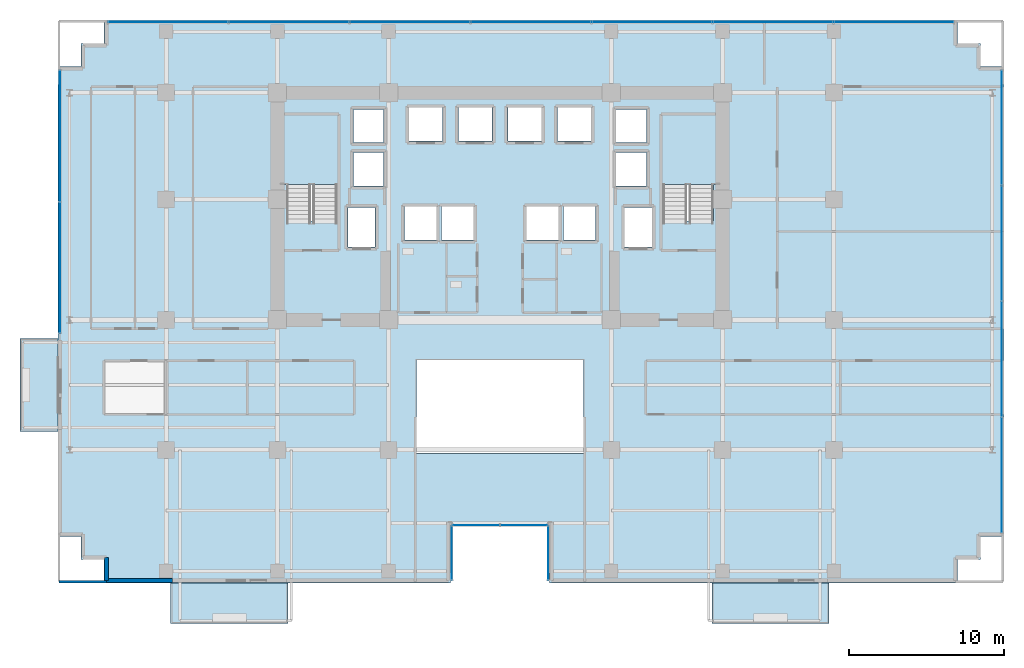
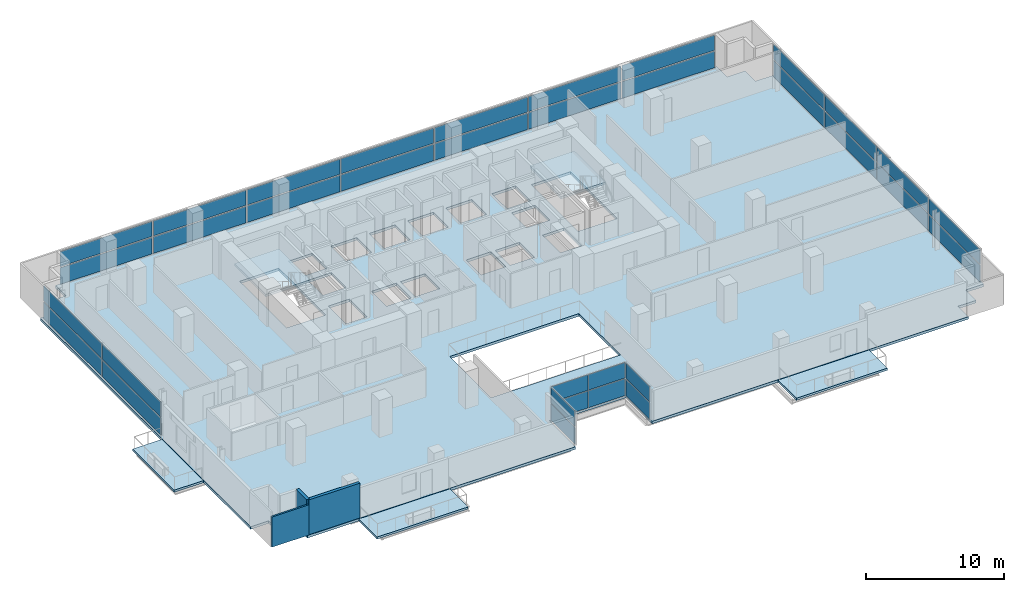
# One storey, part 23 of 31: 34 plates, 6 slabs, 3 walls, 8 elements without a shape of their own.
"""IFC4 building model written with IfcOpenShell, lengths in metres."""

from ifc_helpers import new_model, si_unit, direction, frame, frame_2d, origin, origin_2d, place, context, subcontext, project, spatial, polyline, rectangle, outline, extrude, source, transform, mapped, material, layer, layer_set, type_object, element, aggregate, save


model = new_model("IFC4")

# Units and contexts
model_context = context("Model", 3, precision=1e-05, world=origin(), true_north=direction((0.0, 1.0)))
body_context = subcontext(model_context, "Body", "Model", "MODEL_VIEW")
ifc_project = project(units=[si_unit("LENGTHUNIT", "METRE"), si_unit("AREAUNIT", "SQUARE_METRE"), si_unit("VOLUMEUNIT", "CUBIC_METRE"), si_unit("PLANEANGLEUNIT", "RADIAN"), si_unit("MASSUNIT", "GRAM", prefix="KILO")], contexts=[model_context])

# Site, building, storey
site_placement = place(None, origin())
site = spatial("IfcSite", under=ifc_project, at=site_placement, CompositionType="ELEMENT")
building_placement = place(site_placement, origin())
building = spatial("IfcBuilding", under=site, at=building_placement, Name="Zarnakvel Exchange Tower", CompositionType="ELEMENT")
storey_placement = place(building_placement, frame((0.0, 0.0, 67.0)))
storey = spatial("IfcBuildingStorey", under=building, at=storey_placement, Name="L18", CompositionType="ELEMENT", Elevation=67.0)

# Stair, slab
ifc_material_1 = material(Name="Concrete C40/50", Category="concrete")
stair_type = type_object("IfcStairType", Name="STR-01", PredefinedType="HALF_TURN_STAIR", material=ifc_material_1)
stair_1_placement = place(storey_placement, origin())
stair_1 = element("IfcStair", 1, at=stair_1_placement, inside=storey, type_object=stair_type, Name="L18 Protected Core Exit Stair ST-01", PredefinedType="HALF_TURN_STAIR")
ifc_layer_1 = layer(ifc_material_1, 0.199951171875)
ifc_layer_set_1 = layer_set([ifc_layer_1], Name="Concrete C40/50")
slab_type_1 = type_object("IfcSlabType", Name="LDG-01", PredefinedType="LANDING", material=ifc_layer_set_1)
slab_1_placement = place(storey_placement, frame((0.0, 0.0, 1.449951171875)))
slab_1 = element("IfcSlab", 2, at=slab_1_placement, type_object=slab_type_1, Name="ST-01 landing 1", PredefinedType="LANDING", context=body_context, shape_type="SweptSolid", body=[
    extrude(outline(polyline([(-14.18994140625, 7.570068359375), (-10.4599609375, 7.570068359375), (-10.4599609375, 12.080078125), (-14.18994140625, 12.080078125), (-14.18994140625, 7.570068359375)])), origin(), (0.0, 0.0, 1.0), 0.199951171875),
])
aggregate(stair_1, [slab_1])

stair_2_placement = place(storey_placement, origin())
stair_2 = element("IfcStair", 3, at=stair_2_placement, inside=storey, type_object=stair_type, Name="L18 Protected Core Exit Stair ST-02", PredefinedType="HALF_TURN_STAIR")
slab_2_placement = place(storey_placement, frame((0.0, 0.0, 1.449951171875)))
slab_2 = element("IfcSlab", 4, at=slab_2_placement, type_object=slab_type_1, Name="ST-02 landing 1", PredefinedType="LANDING", context=body_context, shape_type="SweptSolid", body=[
    extrude(outline(polyline([(10.4599609375, 7.570068359375), (14.18994140625, 7.570068359375), (14.18994140625, 12.080078125), (10.4599609375, 12.080078125), (10.4599609375, 7.570068359375)])), origin(), (0.0, 0.0, 1.0), 0.199951171875),
])
aggregate(stair_2, [slab_2])

# Slabs
ifc_layer_2 = layer(ifc_material_1, 0.22509765625)
ifc_layer_set_2 = layer_set([ifc_layer_2], Name="Concrete C40/50")
slab_type_2 = type_object("IfcSlabType", Name="SL-04", PredefinedType="FLOOR", material=ifc_layer_set_2)
slab_3_placement = place(storey_placement, frame((0.0, 0.0, -0.22509765625)))
element("IfcSlab", 5, at=slab_3_placement, inside=storey, type_object=slab_type_2, Name="L18 Primary Structural Floor Slab", PredefinedType="FLOOR", context=body_context, shape_type="SweptSolid", body=[
    extrude(outline(polyline([(-28.60009765625, -15.199951171875), (-27.10009765625, -15.199951171875), (-27.10009765625, -16.699951171875), (-25.60009765625, -16.699951171875), (-25.60009765625, -18.199951171875), (-3.199951171875, -18.199951171875), (-3.199951171875, -14.39990234375), (3.199951171875, -14.39990234375), (3.199951171875, -18.199951171875), (29.60009765625, -18.199951171875), (29.60009765625, -16.699951171875), (31.10009765625, -16.699951171875), (31.10009765625, -15.199951171875), (32.60009765625, -15.199951171875), (32.60009765625, 15.199951171875), (31.10009765625, 15.199951171875), (31.10009765625, 16.699951171875), (29.60009765625, 16.699951171875), (29.60009765625, 18.199951171875), (-25.60009765625, 18.199951171875), (-25.60009765625, 16.699951171875), (-27.10009765625, 16.699951171875), (-27.10009765625, 15.199951171875), (-28.60009765625, 15.199951171875), (-28.60009765625, -15.199951171875)]), holes=[polyline([(-5.39990234375, -9.800048828125), (5.39990234375, -9.800048828125), (5.39990234375, -3.800048828125), (-5.39990234375, -3.800048828125), (-5.39990234375, -9.800048828125)]), polyline([(-13.800048828125, 5.2099609375), (-10.5400390625, 5.2099609375), (-10.5400390625, 12.0), (-13.800048828125, 12.0), (-13.800048828125, 5.2099609375)]), polyline([(10.5400390625, 5.2099609375), (13.800048828125, 5.2099609375), (13.800048828125, 12.0), (10.5400390625, 12.0), (10.5400390625, 5.2099609375)]), polyline([(-9.830078125, 3.52001953125), (-8.070068359375, 3.52001953125), (-8.070068359375, 6.080078125), (-9.830078125, 6.080078125), (-9.830078125, 3.52001953125)]), polyline([(8.070068359375, 3.52001953125), (9.830078125, 3.52001953125), (9.830078125, 6.080078125), (8.070068359375, 6.080078125), (8.070068359375, 3.52001953125)]), polyline([(-5.8798828125, 10.3701171875), (-3.719970703125, 10.3701171875), (-3.719970703125, 12.530029296875), (-5.8798828125, 12.530029296875), (-5.8798828125, 10.3701171875)]), polyline([(-2.679931640625, 10.3701171875), (-0.52001953125, 10.3701171875), (-0.52001953125, 12.530029296875), (-2.679931640625, 12.530029296875), (-2.679931640625, 10.3701171875)]), polyline([(0.52001953125, 10.3701171875), (2.679931640625, 10.3701171875), (2.679931640625, 12.530029296875), (0.52001953125, 12.530029296875), (0.52001953125, 10.3701171875)]), polyline([(3.719970703125, 10.3701171875), (5.8798828125, 10.3701171875), (5.8798828125, 12.530029296875), (3.719970703125, 12.530029296875), (3.719970703125, 10.3701171875)]), polyline([(-6.179931640625, 3.969970703125), (-4.1201171875, 3.969970703125), (-4.1201171875, 6.1298828125), (-6.179931640625, 6.1298828125), (-6.179931640625, 3.969970703125)]), polyline([(-3.780029296875, 3.969970703125), (-1.719970703125, 3.969970703125), (-1.719970703125, 6.1298828125), (-3.780029296875, 6.1298828125), (-3.780029296875, 3.969970703125)]), polyline([(1.719970703125, 3.969970703125), (3.780029296875, 3.969970703125), (3.780029296875, 6.1298828125), (1.719970703125, 6.1298828125), (1.719970703125, 3.969970703125)]), polyline([(4.1201171875, 3.969970703125), (6.179931640625, 3.969970703125), (6.179931640625, 6.1298828125), (4.1201171875, 6.1298828125), (4.1201171875, 3.969970703125)]), polyline([(-9.47998046875, 7.469970703125), (-7.52001953125, 7.469970703125), (-7.52001953125, 9.6298828125), (-9.47998046875, 9.6298828125), (-9.47998046875, 7.469970703125)]), polyline([(-9.47998046875, 10.27001953125), (-7.52001953125, 10.27001953125), (-7.52001953125, 12.429931640625), (-9.47998046875, 12.429931640625), (-9.47998046875, 10.27001953125)]), polyline([(7.52001953125, 7.469970703125), (9.47998046875, 7.469970703125), (9.47998046875, 9.6298828125), (7.52001953125, 9.6298828125), (7.52001953125, 7.469970703125)]), polyline([(7.52001953125, 10.27001953125), (9.47998046875, 10.27001953125), (9.47998046875, 12.429931640625), (7.52001953125, 12.429931640625), (7.52001953125, 10.27001953125)])]), origin(), (0.0, 0.0, 1.0), 0.22509765625),
])
ifc_layer_3 = layer(ifc_material_1, 0.18994140625)
ifc_layer_set_3 = layer_set([ifc_layer_3], Name="Concrete C40/50")
slab_type_3 = type_object("IfcSlabType", Name="SL-08", PredefinedType="USERDEFINED", material=ifc_layer_set_3)
slab_4_placement = place(storey_placement, frame((0.0, 0.0, -0.22509765625)))
element("IfcSlab", 6, at=slab_4_placement, inside=storey, type_object=slab_type_3, Name="L18 Planted Loggia Balcony Slab BAL-L18-SW", ObjectType="BALCONY", PredefinedType="USERDEFINED", context=body_context, shape_type="SweptSolid", body=[
    extrude(outline(polyline([(-21.300048828125, -20.85009765625), (-13.699951171875, -20.85009765625), (-13.699951171875, -18.199951171875), (-21.300048828125, -18.199951171875), (-21.300048828125, -20.85009765625)])), origin(), (0.0, 0.0, 1.0), 0.190185546875),
])
slab_5_placement = place(storey_placement, frame((0.0, 0.0, -0.22509765625)))
element("IfcSlab", 7, at=slab_5_placement, inside=storey, type_object=slab_type_3, Name="L18 Planted Loggia Balcony Slab BAL-L18-SE", ObjectType="BALCONY", PredefinedType="USERDEFINED", context=body_context, shape_type="SweptSolid", body=[
    extrude(outline(polyline([(13.699951171875, -20.85009765625), (21.300048828125, -20.85009765625), (21.300048828125, -18.199951171875), (13.699951171875, -18.199951171875), (13.699951171875, -20.85009765625)])), origin(), (0.0, 0.0, 1.0), 0.190185546875),
])
slab_6_placement = place(storey_placement, frame((0.0, 0.0, -0.22509765625)))
element("IfcSlab", 8, at=slab_6_placement, inside=storey, type_object=slab_type_3, Name="L18 Planted Loggia Balcony Slab BAL-L18-W", ObjectType="BALCONY", PredefinedType="USERDEFINED", context=body_context, shape_type="SweptSolid", body=[
    extrude(outline(polyline([(-31.050048828125, -8.39990234375), (-28.60009765625, -8.39990234375), (-28.60009765625, -2.39990234375), (-31.050048828125, -2.39990234375), (-31.050048828125, -8.39990234375)])), origin(), (0.0, 0.0, 1.0), 0.190185546875),
])

# Curtain wall, plate
ifc_material_2 = material(Name="Architectural Bronze Anodised Aluminium", Category="aluminium")
ifc_layer_4 = layer(ifc_material_2, 0.179931640625)
ifc_layer_set_4 = layer_set([ifc_layer_4], Name="Architectural Bronze Anodised Aluminium")
curtain_wall_type_1 = type_object("IfcCurtainWallType", Name="CW-05", PredefinedType="NOTDEFINED", material=ifc_layer_set_4)
curtain_wall_1_placement = place(storey_placement, origin())
curtain_wall_1 = element("IfcCurtainWall", 9, at=curtain_wall_1_placement, inside=storey, type_object=curtain_wall_type_1, Name="L18 Curtain Wall CW-L18-SLW (CW-05)", PredefinedType="NOTDEFINED")
ifc_material_3 = material(Name="Double Low-E Laminated Vision Glass", Category="glass")
ifc_layer_5 = layer(ifc_material_3, 0.02587890625)
ifc_layer_set_5 = layer_set([ifc_layer_5], Name="Double Low-E Laminated Vision Glass")
plate_type_1 = type_object("IfcPlateType", Name="CWP-05", PredefinedType="CURTAIN_PANEL", material=ifc_layer_set_5)
shared_shape_1 = source(origin(), body_context, "Body", "SweptSolid", [
    extrude(rectangle(XDim=3.4599609375, YDim=0.02587890625, at=origin_2d()), origin(), (0.0, 0.0, 1.0), 1.483642578125),
])
plate_1_placement = place(storey_placement, frame((-3.1201171875, -16.280029296875, 0.06982421875), z_axis=(0.0, 0.0, 1.0), x_axis=(0.0, 1.0, 0.0)))
plate_1 = element("IfcPlate", 10, at=plate_1_placement, type_object=plate_type_1, Name="CW-05 panel 1.1", PredefinedType="CURTAIN_PANEL", context=body_context, shape_type="MappedRepresentation", body=[
    mapped(shared_shape_1, transform((0.0, 0.0, 0.0), x_axis=(1.0, 0.0, 0.0), y_axis=(0.0, 1.0, 0.0), z_axis=(0.0, 0.0, 1.0), scale=1.0)),
])

curtain_wall_2_placement = place(storey_placement, origin())
curtain_wall_2 = element("IfcCurtainWall", 11, at=curtain_wall_2_placement, inside=storey, type_object=curtain_wall_type_1, Name="L18 Curtain Wall CW-L18-SLE (CW-05)", PredefinedType="NOTDEFINED")
plate_2_placement = place(storey_placement, frame((3.1201171875, -16.280029296875, 0.06982421875), z_axis=(0.0, 0.0, 1.0), x_axis=(0.0, -1.0, 0.0)))
plate_2 = element("IfcPlate", 12, at=plate_2_placement, type_object=plate_type_1, Name="CW-05 panel 1.1", PredefinedType="CURTAIN_PANEL", context=body_context, shape_type="MappedRepresentation", body=[
    mapped(shared_shape_1, transform((0.0, 0.0, 0.0), x_axis=(1.0, 0.0, 0.0), y_axis=(0.0, 1.0, 0.0), z_axis=(0.0, 0.0, 1.0), scale=1.0)),
])

# Plate
shared_shape_2 = source(origin(), body_context, "Body", "SweptSolid", [
    extrude(rectangle(XDim=3.4599609375, YDim=0.02587890625, at=origin_2d()), origin(), (0.0, 0.0, 1.0), 1.361328125),
])
plate_3_placement = place(storey_placement, frame((-3.1201171875, -16.280029296875, 1.62353515625), z_axis=(0.0, 0.0, 1.0), x_axis=(0.0, 1.0, 0.0)))
plate_3 = element("IfcPlate", 13, at=plate_3_placement, type_object=plate_type_1, Name="CW-05 panel 1.2", PredefinedType="CURTAIN_PANEL", context=body_context, shape_type="MappedRepresentation", body=[
    mapped(shared_shape_2, transform((0.0, 0.0, 0.0), x_axis=(1.0, 0.0, 0.0), y_axis=(0.0, 1.0, 0.0), z_axis=(0.0, 0.0, 1.0), scale=1.0)),
])

aggregate(curtain_wall_1, [plate_1, plate_3])

plate_4_placement = place(storey_placement, frame((3.1201171875, -16.280029296875, 1.62353515625), z_axis=(0.0, 0.0, 1.0), x_axis=(0.0, -1.0, 0.0)))
plate_4 = element("IfcPlate", 14, at=plate_4_placement, type_object=plate_type_1, Name="CW-05 panel 1.2", PredefinedType="CURTAIN_PANEL", context=body_context, shape_type="MappedRepresentation", body=[
    mapped(shared_shape_2, transform((0.0, 0.0, 0.0), x_axis=(1.0, 0.0, 0.0), y_axis=(0.0, 1.0, 0.0), z_axis=(0.0, 0.0, 1.0), scale=1.0)),
])

aggregate(curtain_wall_2, [plate_2, plate_4])

# Curtain wall, plates
curtain_wall_3_placement = place(storey_placement, origin())
curtain_wall_3 = element("IfcCurtainWall", 15, at=curtain_wall_3_placement, inside=storey, type_object=curtain_wall_type_1, Name="L18 Curtain Wall CW-L18-SLB (CW-05)", PredefinedType="NOTDEFINED")
shared_shape_3 = source(origin(), body_context, "Body", "SweptSolid", [
    extrude(rectangle(XDim=3.014892578125, YDim=0.02587890625, at=origin_2d()), origin(), (0.0, 0.0, 1.0), 1.483642578125),
])
plate_5_placement = place(storey_placement, frame((-1.54248046875, -14.47998046875, 0.06982421875), z_axis=(0.0, 0.0, 1.0), x_axis=(1.0, 0.0, 0.0)))
plate_5 = element("IfcPlate", 16, at=plate_5_placement, type_object=plate_type_1, Name="CW-05 panel 1.1", PredefinedType="CURTAIN_PANEL", context=body_context, shape_type="MappedRepresentation", body=[
    mapped(shared_shape_3, transform((0.0, 0.0, 0.0), x_axis=(1.0, 0.0, 0.0), y_axis=(0.0, 1.0, 0.0), z_axis=(0.0, 0.0, 1.0), scale=1.0)),
])
plate_6_placement = place(storey_placement, frame((1.54248046875, -14.47998046875, 0.06982421875), z_axis=(0.0, 0.0, 1.0), x_axis=(1.0, 0.0, 0.0)))
plate_6 = element("IfcPlate", 17, at=plate_6_placement, type_object=plate_type_1, Name="CW-05 panel 2.1", PredefinedType="CURTAIN_PANEL", context=body_context, shape_type="MappedRepresentation", body=[
    mapped(shared_shape_3, transform((0.0, 0.0, 0.0), x_axis=(1.0, 0.0, 0.0), y_axis=(0.0, 1.0, 0.0), z_axis=(0.0, 0.0, 1.0), scale=1.0)),
])
shared_shape_4 = source(origin(), body_context, "Body", "SweptSolid", [
    extrude(rectangle(XDim=3.014892578125, YDim=0.02587890625, at=origin_2d()), origin(), (0.0, 0.0, 1.0), 1.361328125),
])
plate_7_placement = place(storey_placement, frame((-1.54248046875, -14.47998046875, 1.62353515625), z_axis=(0.0, 0.0, 1.0), x_axis=(1.0, 0.0, 0.0)))
plate_7 = element("IfcPlate", 18, at=plate_7_placement, type_object=plate_type_1, Name="CW-05 panel 1.2", PredefinedType="CURTAIN_PANEL", context=body_context, shape_type="MappedRepresentation", body=[
    mapped(shared_shape_4, transform((0.0, 0.0, 0.0), x_axis=(1.0, 0.0, 0.0), y_axis=(0.0, 1.0, 0.0), z_axis=(0.0, 0.0, 1.0), scale=1.0)),
])
plate_8_placement = place(storey_placement, frame((1.54248046875, -14.47998046875, 1.62353515625), z_axis=(0.0, 0.0, 1.0), x_axis=(1.0, 0.0, 0.0)))
plate_8 = element("IfcPlate", 19, at=plate_8_placement, type_object=plate_type_1, Name="CW-05 panel 2.2", PredefinedType="CURTAIN_PANEL", context=body_context, shape_type="MappedRepresentation", body=[
    mapped(shared_shape_4, transform((0.0, 0.0, 0.0), x_axis=(1.0, 0.0, 0.0), y_axis=(0.0, 1.0, 0.0), z_axis=(0.0, 0.0, 1.0), scale=1.0)),
])
aggregate(curtain_wall_3, [plate_5, plate_7, plate_6, plate_8])

ifc_layer_6 = layer(ifc_material_2, 0.239990234375)
ifc_layer_set_6 = layer_set([ifc_layer_6], Name="Architectural Bronze Anodised Aluminium")
curtain_wall_type_2 = type_object("IfcCurtainWallType", Name="CW-02", PredefinedType="NOTDEFINED", material=ifc_layer_set_6)
curtain_wall_4_placement = place(storey_placement, origin())
curtain_wall_4 = element("IfcCurtainWall", 20, at=curtain_wall_4_placement, inside=storey, type_object=curtain_wall_type_2, Name="L18 Curtain Wall CW-L18-N1 (CW-02)", PredefinedType="NOTDEFINED")
ifc_layer_7 = layer(ifc_material_3, 0.031982421875)
ifc_layer_set_7 = layer_set([ifc_layer_7], Name="Double Low-E Laminated Vision Glass")
plate_type_2 = type_object("IfcPlateType", Name="CWP-02", PredefinedType="CURTAIN_PANEL", material=ifc_layer_set_7)
shared_shape_5 = source(origin(), body_context, "Body", "SweptSolid", [
    extrude(rectangle(XDim=7.693603515625, YDim=0.031982421875, at=origin_2d()), origin(), (0.0, 0.0, 1.0), 1.461181640625),
])
plate_9_placement = place(storey_placement, frame((-21.463134765625, 18.06005859375, 0.0849609375), z_axis=(0.0, 0.0, 1.0), x_axis=(1.0, 0.0, 0.0)))
plate_9 = element("IfcPlate", 21, at=plate_9_placement, type_object=plate_type_2, Name="CW-02 panel 1.1", PredefinedType="CURTAIN_PANEL", context=body_context, shape_type="MappedRepresentation", body=[
    mapped(shared_shape_5, transform((0.0, 0.0, 0.0), x_axis=(1.0, 0.0, 0.0), y_axis=(0.0, 1.0, 0.0), z_axis=(0.0, 0.0, 1.0), scale=1.0)),
])
plate_10_placement = place(storey_placement, frame((25.463134765625, 18.06005859375, 0.0849609375), z_axis=(0.0, 0.0, 1.0), x_axis=(1.0, 0.0, 0.0)))
plate_10 = element("IfcPlate", 22, at=plate_10_placement, type_object=plate_type_2, Name="CW-02 panel 7.1", PredefinedType="CURTAIN_PANEL", context=body_context, shape_type="MappedRepresentation", body=[
    mapped(shared_shape_5, transform((0.0, 0.0, 0.0), x_axis=(1.0, 0.0, 0.0), y_axis=(0.0, 1.0, 0.0), z_axis=(0.0, 0.0, 1.0), scale=1.0)),
])
shared_shape_6 = source(origin(), body_context, "Body", "SweptSolid", [
    extrude(rectangle(XDim=7.693603515625, YDim=0.031982421875, at=origin_2d()), origin(), (0.0, 0.0, 1.0), 1.3388671875),
])
plate_11_placement = place(storey_placement, frame((-21.463134765625, 18.06005859375, 1.631103515625), z_axis=(0.0, 0.0, 1.0), x_axis=(1.0, 0.0, 0.0)))
plate_11 = element("IfcPlate", 23, at=plate_11_placement, type_object=plate_type_2, Name="CW-02 panel 1.2", PredefinedType="CURTAIN_PANEL", context=body_context, shape_type="MappedRepresentation", body=[
    mapped(shared_shape_6, transform((0.0, 0.0, 0.0), x_axis=(1.0, 0.0, 0.0), y_axis=(0.0, 1.0, 0.0), z_axis=(0.0, 0.0, 1.0), scale=1.0)),
])
plate_12_placement = place(storey_placement, frame((25.463134765625, 18.06005859375, 1.631103515625), z_axis=(0.0, 0.0, 1.0), x_axis=(1.0, 0.0, 0.0)))
plate_12 = element("IfcPlate", 24, at=plate_12_placement, type_object=plate_type_2, Name="CW-02 panel 7.2", PredefinedType="CURTAIN_PANEL", context=body_context, shape_type="MappedRepresentation", body=[
    mapped(shared_shape_6, transform((0.0, 0.0, 0.0), x_axis=(1.0, 0.0, 0.0), y_axis=(0.0, 1.0, 0.0), z_axis=(0.0, 0.0, 1.0), scale=1.0)),
])
shared_shape_7 = source(origin(), body_context, "Body", "SweptSolid", [
    extrude(rectangle(XDim=7.738525390625, YDim=0.031982421875, at=origin_2d()), origin(), (0.0, 0.0, 1.0), 1.461181640625),
])
plate_13_placement = place(storey_placement, frame((-13.6572265625, 18.06005859375, 0.0849609375), z_axis=(0.0, 0.0, 1.0), x_axis=(1.0, 0.0, 0.0)))
plate_13 = element("IfcPlate", 25, at=plate_13_placement, type_object=plate_type_2, Name="CW-02 panel 2.1", PredefinedType="CURTAIN_PANEL", context=body_context, shape_type="MappedRepresentation", body=[
    mapped(shared_shape_7, transform((0.0, 0.0, 0.0), x_axis=(1.0, 0.0, 0.0), y_axis=(0.0, 1.0, 0.0), z_axis=(0.0, 0.0, 1.0), scale=1.0)),
])
plate_14_placement = place(storey_placement, frame((-5.82861328125, 18.06005859375, 0.0849609375), z_axis=(0.0, 0.0, 1.0), x_axis=(1.0, 0.0, 0.0)))
plate_14 = element("IfcPlate", 26, at=plate_14_placement, type_object=plate_type_2, Name="CW-02 panel 3.1", PredefinedType="CURTAIN_PANEL", context=body_context, shape_type="MappedRepresentation", body=[
    mapped(shared_shape_7, transform((0.0, 0.0, 0.0), x_axis=(1.0, 0.0, 0.0), y_axis=(0.0, 1.0, 0.0), z_axis=(0.0, 0.0, 1.0), scale=1.0)),
])
plate_15_placement = place(storey_placement, frame((2.0, 18.06005859375, 0.0849609375), z_axis=(0.0, 0.0, 1.0), x_axis=(1.0, 0.0, 0.0)))
plate_15 = element("IfcPlate", 27, at=plate_15_placement, type_object=plate_type_2, Name="CW-02 panel 4.1", PredefinedType="CURTAIN_PANEL", context=body_context, shape_type="MappedRepresentation", body=[
    mapped(shared_shape_7, transform((0.0, 0.0, 0.0), x_axis=(1.0, 0.0, 0.0), y_axis=(0.0, 1.0, 0.0), z_axis=(0.0, 0.0, 1.0), scale=1.0)),
])
plate_16_placement = place(storey_placement, frame((9.82861328125, 18.06005859375, 0.0849609375), z_axis=(0.0, 0.0, 1.0), x_axis=(1.0, 0.0, 0.0)))
plate_16 = element("IfcPlate", 28, at=plate_16_placement, type_object=plate_type_2, Name="CW-02 panel 5.1", PredefinedType="CURTAIN_PANEL", context=body_context, shape_type="MappedRepresentation", body=[
    mapped(shared_shape_7, transform((0.0, 0.0, 0.0), x_axis=(1.0, 0.0, 0.0), y_axis=(0.0, 1.0, 0.0), z_axis=(0.0, 0.0, 1.0), scale=1.0)),
])
plate_17_placement = place(storey_placement, frame((17.6572265625, 18.06005859375, 0.0849609375), z_axis=(0.0, 0.0, 1.0), x_axis=(1.0, 0.0, 0.0)))
plate_17 = element("IfcPlate", 29, at=plate_17_placement, type_object=plate_type_2, Name="CW-02 panel 6.1", PredefinedType="CURTAIN_PANEL", context=body_context, shape_type="MappedRepresentation", body=[
    mapped(shared_shape_7, transform((0.0, 0.0, 0.0), x_axis=(1.0, 0.0, 0.0), y_axis=(0.0, 1.0, 0.0), z_axis=(0.0, 0.0, 1.0), scale=1.0)),
])
shared_shape_8 = source(origin(), body_context, "Body", "SweptSolid", [
    extrude(rectangle(XDim=7.738525390625, YDim=0.031982421875, at=origin_2d()), origin(), (0.0, 0.0, 1.0), 1.3388671875),
])
plate_18_placement = place(storey_placement, frame((-13.6572265625, 18.06005859375, 1.631103515625), z_axis=(0.0, 0.0, 1.0), x_axis=(1.0, 0.0, 0.0)))
plate_18 = element("IfcPlate", 30, at=plate_18_placement, type_object=plate_type_2, Name="CW-02 panel 2.2", PredefinedType="CURTAIN_PANEL", context=body_context, shape_type="MappedRepresentation", body=[
    mapped(shared_shape_8, transform((0.0, 0.0, 0.0), x_axis=(1.0, 0.0, 0.0), y_axis=(0.0, 1.0, 0.0), z_axis=(0.0, 0.0, 1.0), scale=1.0)),
])
plate_19_placement = place(storey_placement, frame((-5.82861328125, 18.06005859375, 1.631103515625), z_axis=(0.0, 0.0, 1.0), x_axis=(1.0, 0.0, 0.0)))
plate_19 = element("IfcPlate", 31, at=plate_19_placement, type_object=plate_type_2, Name="CW-02 panel 3.2", PredefinedType="CURTAIN_PANEL", context=body_context, shape_type="MappedRepresentation", body=[
    mapped(shared_shape_8, transform((0.0, 0.0, 0.0), x_axis=(1.0, 0.0, 0.0), y_axis=(0.0, 1.0, 0.0), z_axis=(0.0, 0.0, 1.0), scale=1.0)),
])
plate_20_placement = place(storey_placement, frame((2.0, 18.06005859375, 1.631103515625), z_axis=(0.0, 0.0, 1.0), x_axis=(1.0, 0.0, 0.0)))
plate_20 = element("IfcPlate", 32, at=plate_20_placement, type_object=plate_type_2, Name="CW-02 panel 4.2", PredefinedType="CURTAIN_PANEL", context=body_context, shape_type="MappedRepresentation", body=[
    mapped(shared_shape_8, transform((0.0, 0.0, 0.0), x_axis=(1.0, 0.0, 0.0), y_axis=(0.0, 1.0, 0.0), z_axis=(0.0, 0.0, 1.0), scale=1.0)),
])
plate_21_placement = place(storey_placement, frame((9.82861328125, 18.06005859375, 1.631103515625), z_axis=(0.0, 0.0, 1.0), x_axis=(1.0, 0.0, 0.0)))
plate_21 = element("IfcPlate", 33, at=plate_21_placement, type_object=plate_type_2, Name="CW-02 panel 5.2", PredefinedType="CURTAIN_PANEL", context=body_context, shape_type="MappedRepresentation", body=[
    mapped(shared_shape_8, transform((0.0, 0.0, 0.0), x_axis=(1.0, 0.0, 0.0), y_axis=(0.0, 1.0, 0.0), z_axis=(0.0, 0.0, 1.0), scale=1.0)),
])
plate_22_placement = place(storey_placement, frame((17.6572265625, 18.06005859375, 1.631103515625), z_axis=(0.0, 0.0, 1.0), x_axis=(1.0, 0.0, 0.0)))
plate_22 = element("IfcPlate", 34, at=plate_22_placement, type_object=plate_type_2, Name="CW-02 panel 6.2", PredefinedType="CURTAIN_PANEL", context=body_context, shape_type="MappedRepresentation", body=[
    mapped(shared_shape_8, transform((0.0, 0.0, 0.0), x_axis=(1.0, 0.0, 0.0), y_axis=(0.0, 1.0, 0.0), z_axis=(0.0, 0.0, 1.0), scale=1.0)),
])
aggregate(curtain_wall_4, [plate_9, plate_11, plate_13, plate_18, plate_14, plate_19, plate_15, plate_20, plate_16, plate_21, plate_17, plate_22, plate_10, plate_12])

ifc_layer_8 = layer(ifc_material_2, 0.199951171875)
ifc_layer_set_8 = layer_set([ifc_layer_8], Name="Architectural Bronze Anodised Aluminium")
curtain_wall_type_3 = type_object("IfcCurtainWallType", Name="CW-04", PredefinedType="NOTDEFINED", material=ifc_layer_set_8)
curtain_wall_5_placement = place(storey_placement, origin())
curtain_wall_5 = element("IfcCurtainWall", 35, at=curtain_wall_5_placement, inside=storey, type_object=curtain_wall_type_3, Name="L18 Curtain Wall CW-L18-WN (CW-04)", PredefinedType="NOTDEFINED")
ifc_layer_9 = layer(ifc_material_3, 0.028076171875)
ifc_layer_set_9 = layer_set([ifc_layer_9], Name="Double Low-E Laminated Vision Glass")
plate_type_3 = type_object("IfcPlateType", Name="CWP-04", PredefinedType="CURTAIN_PANEL", material=ifc_layer_set_9)
shared_shape_9 = source(origin(), body_context, "Body", "SweptSolid", [
    extrude(rectangle(XDim=8.4375, YDim=0.028076171875, at=origin_2d()), origin(), (0.0, 0.0, 1.0), 1.47607421875),
])
plate_23_placement = place(storey_placement, frame((-28.4599609375, 2.19384765625, 0.074951171875), z_axis=(0.0, 0.0, 1.0), x_axis=(0.0, 1.0, 0.0)))
plate_23 = element("IfcPlate", 36, at=plate_23_placement, type_object=plate_type_3, Name="CW-04 panel 1.1", PredefinedType="CURTAIN_PANEL", context=body_context, shape_type="MappedRepresentation", body=[
    mapped(shared_shape_9, transform((0.0, 0.0, 0.0), x_axis=(1.0, 0.0, 0.0), y_axis=(0.0, 1.0, 0.0), z_axis=(0.0, 0.0, 1.0), scale=1.0)),
])
plate_24_placement = place(storey_placement, frame((-28.4599609375, 10.706298828125, 0.074951171875), z_axis=(0.0, 0.0, 1.0), x_axis=(0.0, 1.0, 0.0)))
plate_24 = element("IfcPlate", 37, at=plate_24_placement, type_object=plate_type_3, Name="CW-04 panel 2.1", PredefinedType="CURTAIN_PANEL", context=body_context, shape_type="MappedRepresentation", body=[
    mapped(shared_shape_9, transform((0.0, 0.0, 0.0), x_axis=(1.0, 0.0, 0.0), y_axis=(0.0, 1.0, 0.0), z_axis=(0.0, 0.0, 1.0), scale=1.0)),
])
shared_shape_10 = source(origin(), body_context, "Body", "SweptSolid", [
    extrude(rectangle(XDim=8.4375, YDim=0.028076171875, at=origin_2d()), origin(), (0.0, 0.0, 1.0), 1.35400390625),
])
plate_25_placement = place(storey_placement, frame((-28.4599609375, 2.19384765625, 1.6259765625), z_axis=(0.0, 0.0, 1.0), x_axis=(0.0, 1.0, 0.0)))
plate_25 = element("IfcPlate", 38, at=plate_25_placement, type_object=plate_type_3, Name="CW-04 panel 1.2", PredefinedType="CURTAIN_PANEL", context=body_context, shape_type="MappedRepresentation", body=[
    mapped(shared_shape_10, transform((0.0, 0.0, 0.0), x_axis=(1.0, 0.0, 0.0), y_axis=(0.0, 1.0, 0.0), z_axis=(0.0, 0.0, 1.0), scale=1.0)),
])
plate_26_placement = place(storey_placement, frame((-28.4599609375, 10.706298828125, 1.6259765625), z_axis=(0.0, 0.0, 1.0), x_axis=(0.0, 1.0, 0.0)))
plate_26 = element("IfcPlate", 39, at=plate_26_placement, type_object=plate_type_3, Name="CW-04 panel 2.2", PredefinedType="CURTAIN_PANEL", context=body_context, shape_type="MappedRepresentation", body=[
    mapped(shared_shape_10, transform((0.0, 0.0, 0.0), x_axis=(1.0, 0.0, 0.0), y_axis=(0.0, 1.0, 0.0), z_axis=(0.0, 0.0, 1.0), scale=1.0)),
])
aggregate(curtain_wall_5, [plate_23, plate_25, plate_24, plate_26])

curtain_wall_6_placement = place(storey_placement, origin())
curtain_wall_6 = element("IfcCurtainWall", 40, at=curtain_wall_6_placement, inside=storey, type_object=curtain_wall_type_3, Name="L18 Curtain Wall CW-L18-E1 (CW-04)", PredefinedType="NOTDEFINED")
shared_shape_11 = source(origin(), body_context, "Body", "SweptSolid", [
    extrude(rectangle(XDim=7.387451171875, YDim=0.028076171875, at=origin_2d()), origin(), (0.0, 0.0, 1.0), 1.47607421875),
])
plate_27_placement = place(storey_placement, frame((32.4599609375, -11.231201171875, 0.074951171875), z_axis=(0.0, 0.0, 1.0), x_axis=(0.0, 1.0, 0.0)))
plate_27 = element("IfcPlate", 41, at=plate_27_placement, type_object=plate_type_3, Name="CW-04 panel 1.1", PredefinedType="CURTAIN_PANEL", context=body_context, shape_type="MappedRepresentation", body=[
    mapped(shared_shape_11, transform((0.0, 0.0, 0.0), x_axis=(1.0, 0.0, 0.0), y_axis=(0.0, 1.0, 0.0), z_axis=(0.0, 0.0, 1.0), scale=1.0)),
])
plate_28_placement = place(storey_placement, frame((32.4599609375, 11.231201171875, 0.074951171875), z_axis=(0.0, 0.0, 1.0), x_axis=(0.0, 1.0, 0.0)))
plate_28 = element("IfcPlate", 42, at=plate_28_placement, type_object=plate_type_3, Name="CW-04 panel 4.1", PredefinedType="CURTAIN_PANEL", context=body_context, shape_type="MappedRepresentation", body=[
    mapped(shared_shape_11, transform((0.0, 0.0, 0.0), x_axis=(1.0, 0.0, 0.0), y_axis=(0.0, 1.0, 0.0), z_axis=(0.0, 0.0, 1.0), scale=1.0)),
])
shared_shape_12 = source(origin(), body_context, "Body", "SweptSolid", [
    extrude(rectangle(XDim=7.387451171875, YDim=0.028076171875, at=origin_2d()), origin(), (0.0, 0.0, 1.0), 1.35400390625),
])
plate_29_placement = place(storey_placement, frame((32.4599609375, -11.231201171875, 1.6259765625), z_axis=(0.0, 0.0, 1.0), x_axis=(0.0, 1.0, 0.0)))
plate_29 = element("IfcPlate", 43, at=plate_29_placement, type_object=plate_type_3, Name="CW-04 panel 1.2", PredefinedType="CURTAIN_PANEL", context=body_context, shape_type="MappedRepresentation", body=[
    mapped(shared_shape_12, transform((0.0, 0.0, 0.0), x_axis=(1.0, 0.0, 0.0), y_axis=(0.0, 1.0, 0.0), z_axis=(0.0, 0.0, 1.0), scale=1.0)),
])
plate_30_placement = place(storey_placement, frame((32.4599609375, 11.231201171875, 1.6259765625), z_axis=(0.0, 0.0, 1.0), x_axis=(0.0, 1.0, 0.0)))
plate_30 = element("IfcPlate", 44, at=plate_30_placement, type_object=plate_type_3, Name="CW-04 panel 4.2", PredefinedType="CURTAIN_PANEL", context=body_context, shape_type="MappedRepresentation", body=[
    mapped(shared_shape_12, transform((0.0, 0.0, 0.0), x_axis=(1.0, 0.0, 0.0), y_axis=(0.0, 1.0, 0.0), z_axis=(0.0, 0.0, 1.0), scale=1.0)),
])
shared_shape_13 = source(origin(), body_context, "Body", "SweptSolid", [
    extrude(rectangle(XDim=7.425048828125, YDim=0.028076171875, at=origin_2d()), origin(), (0.0, 0.0, 1.0), 1.47607421875),
])
plate_31_placement = place(storey_placement, frame((32.4599609375, -3.75, 0.074951171875), z_axis=(0.0, 0.0, 1.0), x_axis=(0.0, 1.0, 0.0)))
plate_31 = element("IfcPlate", 45, at=plate_31_placement, type_object=plate_type_3, Name="CW-04 panel 2.1", PredefinedType="CURTAIN_PANEL", context=body_context, shape_type="MappedRepresentation", body=[
    mapped(shared_shape_13, transform((0.0, 0.0, 0.0), x_axis=(1.0, 0.0, 0.0), y_axis=(0.0, 1.0, 0.0), z_axis=(0.0, 0.0, 1.0), scale=1.0)),
])
plate_32_placement = place(storey_placement, frame((32.4599609375, 3.75, 0.074951171875), z_axis=(0.0, 0.0, 1.0), x_axis=(0.0, 1.0, 0.0)))
plate_32 = element("IfcPlate", 46, at=plate_32_placement, type_object=plate_type_3, Name="CW-04 panel 3.1", PredefinedType="CURTAIN_PANEL", context=body_context, shape_type="MappedRepresentation", body=[
    mapped(shared_shape_13, transform((0.0, 0.0, 0.0), x_axis=(1.0, 0.0, 0.0), y_axis=(0.0, 1.0, 0.0), z_axis=(0.0, 0.0, 1.0), scale=1.0)),
])
shared_shape_14 = source(origin(), body_context, "Body", "SweptSolid", [
    extrude(rectangle(XDim=7.425048828125, YDim=0.028076171875, at=origin_2d()), origin(), (0.0, 0.0, 1.0), 1.35400390625),
])
plate_33_placement = place(storey_placement, frame((32.4599609375, -3.75, 1.6259765625), z_axis=(0.0, 0.0, 1.0), x_axis=(0.0, 1.0, 0.0)))
plate_33 = element("IfcPlate", 47, at=plate_33_placement, type_object=plate_type_3, Name="CW-04 panel 2.2", PredefinedType="CURTAIN_PANEL", context=body_context, shape_type="MappedRepresentation", body=[
    mapped(shared_shape_14, transform((0.0, 0.0, 0.0), x_axis=(1.0, 0.0, 0.0), y_axis=(0.0, 1.0, 0.0), z_axis=(0.0, 0.0, 1.0), scale=1.0)),
])
plate_34_placement = place(storey_placement, frame((32.4599609375, 3.75, 1.6259765625), z_axis=(0.0, 0.0, 1.0), x_axis=(0.0, 1.0, 0.0)))
plate_34 = element("IfcPlate", 48, at=plate_34_placement, type_object=plate_type_3, Name="CW-04 panel 3.2", PredefinedType="CURTAIN_PANEL", context=body_context, shape_type="MappedRepresentation", body=[
    mapped(shared_shape_14, transform((0.0, 0.0, 0.0), x_axis=(1.0, 0.0, 0.0), y_axis=(0.0, 1.0, 0.0), z_axis=(0.0, 0.0, 1.0), scale=1.0)),
])
aggregate(curtain_wall_6, [plate_27, plate_29, plate_31, plate_33, plate_32, plate_34, plate_28, plate_30])

# Walls
ifc_material_4 = material(Name="Precast concrete C40/50", Category="concrete")
ifc_layer_10 = layer(ifc_material_4, 0.239990234375)
ifc_layer_set_10 = layer_set([ifc_layer_10], Name="Precast concrete C40/50")
wall_type_1 = type_object("IfcWallType", Name="EW-02", PredefinedType="SOLIDWALL", material=ifc_layer_set_10)
wall_1_placement = place(storey_placement, frame((-25.4599609375, -18.06005859375, 0.0), z_axis=(0.0, 0.0, 1.0), x_axis=(1.0, 0.0, 0.0)))
element("IfcWall", 49, at=wall_1_placement, inside=storey, type_object=wall_type_1, Name="L18 Exterior Precast Spandrel Wall EWC-L18-22 (EW-02)", PredefinedType="SOLIDWALL", context=body_context, shape_type="SweptSolid", body=[
    extrude(rectangle(XDim=4.260009765625, YDim=0.239990234375, at=frame_2d((2.1298828125, 0.0))), origin(), (0.0, 0.0, 1.0), 3.074951171875),
])
wall_2_placement = place(storey_placement, frame((-25.4599609375, -16.56005859375, 0.0), z_axis=(0.0, 0.0, 1.0), x_axis=(0.0, -1.0, 0.0)))
element("IfcWall", 50, at=wall_2_placement, inside=storey, type_object=wall_type_1, Name="L18 Exterior Precast Spandrel Wall EWC-L18-23 (EW-02)", PredefinedType="SOLIDWALL", context=body_context, shape_type="SweptSolid", body=[
    extrude(rectangle(XDim=1.5, YDim=0.239990234375, at=frame_2d((0.75, 0.0))), origin(), (0.0, 0.0, 1.0), 3.074951171875),
])
ifc_material_5 = material(Name="Fire-Rated Gypsum Stud Partition", Category="gypsum")
ifc_layer_11 = layer(ifc_material_5, 0.14990234375)
ifc_layer_set_11 = layer_set([ifc_layer_11], Name="Fire-Rated Gypsum Stud Partition")
wall_type_2 = type_object("IfcWallType", Name="PT-01", PredefinedType="PARTITIONING", material=ifc_layer_set_11)
wall_3_placement = place(storey_placement, frame((-25.4599609375, -18.1298828125, 0.0), z_axis=(0.0, 0.0, 1.0), x_axis=(-1.0, 0.0, 0.0)))
element("IfcWall", 51, at=wall_3_placement, inside=storey, type_object=wall_type_2, Name="L18 Partition Wall PWALL-L18-036 (PT-01)", PredefinedType="PARTITIONING", context=body_context, shape_type="SweptSolid", body=[
    extrude(rectangle(XDim=3.070068359375, YDim=0.14990234375, at=frame_2d((1.53515625, 0.0))), origin(), (0.0, 0.0, 1.0), 2.6650390625),
])

save(model, "model.ifc")
